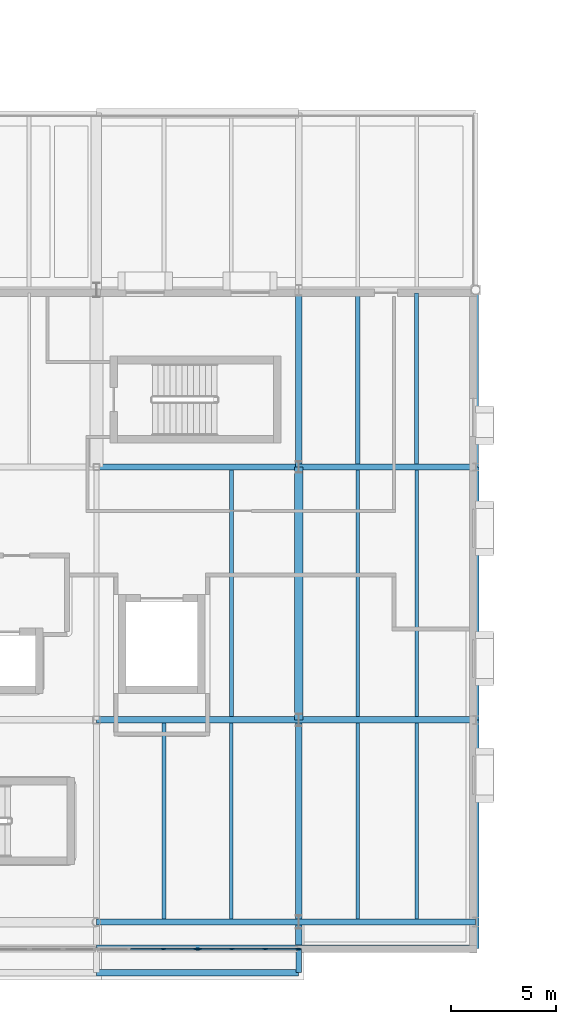
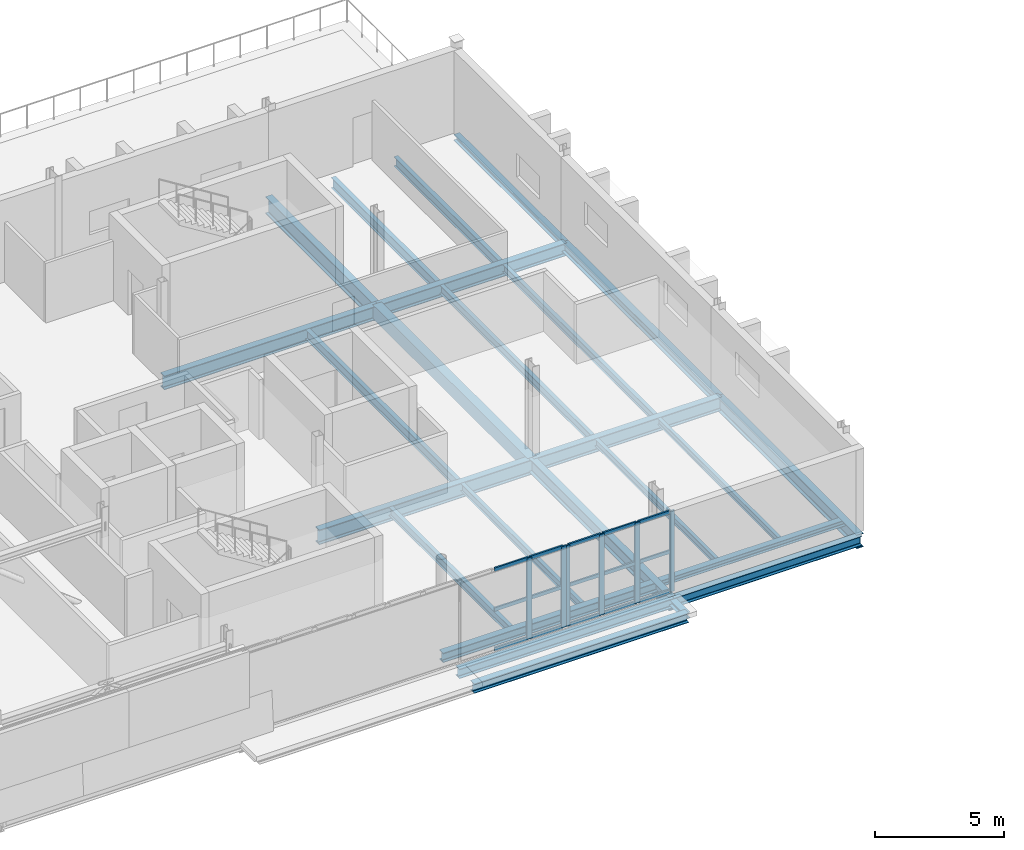
# One storey, part 16 of 57: 25 beams, 21 members, 2 elements without a shape of their own.
"""IFC4 building model written with IfcOpenShell, lengths in metres."""

import ifcopenshell
import ifcopenshell.guid

model = None  # the IFC model being written
_history = None  # IfcOwnerHistory: only IFC2X3 demands one
_inside = {}  # id of a spatial element -> (the spatial element, [elements in it])
_under = {}  # id of a project, library or spatial element -> (it, [spatial elements below it])
_declared = {}  # id of a project -> (the project, [libraries it declares])
_typed = {}  # id of a type object -> (the type object, [elements of that type])
_made_of = {}  # id of a material, layer set ... -> (it, [elements and type objects made of it])


def new_model(schema):
    """Start an empty IFC model of exactly this schema.

    Asked for "IFC4X3", IfcOpenShell would pick the latest addendum, in which some entities
    have other attributes; the version numbers below select the first issue.
    IFC2X3 requires an IfcOwnerHistory on every rooted entity: one is made here for all.
    """
    global model, _history
    if schema == "IFC4X3":
        model = ifcopenshell.file(schema_version=(4, 3, 0, 0))
    else:
        model = ifcopenshell.file(schema=schema)
    _inside.clear()
    _under.clear()
    _declared.clear()
    _typed.clear()
    _made_of.clear()
    _history = None
    if model.schema == "IFC2X3":
        org = make("IfcOrganization", Name="unknown")
        user = make(
            "IfcPersonAndOrganization",
            ThePerson=make("IfcPerson", FamilyName="unknown"),
            TheOrganization=org,
        )
        app = make(
            "IfcApplication",
            ApplicationDeveloper=org,
            Version="unknown",
            ApplicationFullName="unknown",
            ApplicationIdentifier="unknown",
        )
        _history = make(
            "IfcOwnerHistory",
            OwningUser=user,
            OwningApplication=app,
            ChangeAction="ADDED",
            CreationDate=0,
        )
    return model


def make(cls, **values):
    """One entity of the class cls with the attributes given. An attribute that is None is left unset."""
    return model.create_entity(
        cls, **{name: value for name, value in values.items() if value is not None}
    )


def rooted(cls, **values):
    """An entity with a GlobalId (a new one), such as an element, a storey or a relation."""
    return make(cls, GlobalId=ifcopenshell.guid.new(), OwnerHistory=_history, **values)


def si_unit(unit_type, name, prefix=None):
    """IfcSIUnit, for example si_unit("LENGTHUNIT", "METRE", prefix="MILLI")."""
    return make("IfcSIUnit", UnitType=unit_type, Prefix=prefix, Name=name)


def assignment(units):
    """IfcUnitAssignment: the units of a project."""
    return None if units is None else make("IfcUnitAssignment", Units=units)


def point(xyz):
    """IfcCartesianPoint."""
    return None if xyz is None else make("IfcCartesianPoint", Coordinates=xyz)


def direction(xyz):
    """IfcDirection."""
    return None if xyz is None else make("IfcDirection", DirectionRatios=xyz)


def frame(location, z_axis=None, x_axis=None):
    """IfcAxis2Placement3D, a coordinate frame: its origin and axes. An axis left out is left unset."""
    return make(
        "IfcAxis2Placement3D",
        Location=point(location),
        Axis=direction(z_axis),
        RefDirection=direction(x_axis),
    )


def frame_2d(location, x_axis=None):
    """IfcAxis2Placement2D, a coordinate frame in the plane: its origin and x axis."""
    return make(
        "IfcAxis2Placement2D", Location=point(location), RefDirection=direction(x_axis)
    )


def origin():
    """The frame at (0, 0, 0) with its axes left unset."""
    return frame((0.0, 0.0, 0.0))


def origin_2d():
    """The frame at (0, 0) in the plane with its x axis left unset."""
    return frame_2d((0.0, 0.0))


def place(relative_to, where):
    """IfcLocalPlacement: puts the frame where relative to a parent placement (None: the world)."""
    return make(
        "IfcLocalPlacement", PlacementRelTo=relative_to, RelativePlacement=where
    )


def context(
    kind, dimensions, precision=None, world=None, true_north=None, identifier=None
):
    """IfcGeometricRepresentationContext, for example the 3D "Model" context."""
    return make(
        "IfcGeometricRepresentationContext",
        ContextIdentifier=identifier,
        ContextType=kind,
        CoordinateSpaceDimension=dimensions,
        Precision=precision,
        WorldCoordinateSystem=world,
        TrueNorth=true_north,
    )


def subcontext(parent, identifier, kind, view, scale=None):
    """IfcGeometricRepresentationSubContext, for example "Body" below "Model"."""
    return make(
        "IfcGeometricRepresentationSubContext",
        ContextIdentifier=identifier,
        ContextType=kind,
        ParentContext=parent,
        TargetScale=scale,
        TargetView=view,
    )


def project(units=None, contexts=None):
    """IfcProject with its units and contexts."""
    return rooted(
        "IfcProject",
        Name="project",
        RepresentationContexts=contexts,
        UnitsInContext=assignment(units),
    )


def spatial(cls, under=None, at=None, **own):
    """A site, building, storey or space (cls), placed at a placement, below another one or the project."""
    s = rooted(cls, ObjectPlacement=at, **own)
    if under is not None:
        _under.setdefault(under.id(), (under, []))[1].append(s)
    return s


def profile(cls, at=None, kind="AREA", **sizes):
    """A parametric profile (cls). Its sizes go by their IFC names, for example OverallWidth=200.0."""
    return make(cls, ProfileType=kind, Position=at, **sizes)


def rectangle(**sizes):
    """IfcRectangleProfileDef."""
    return profile("IfcRectangleProfileDef", **sizes)


def i_section(**sizes):
    """IfcIShapeProfileDef."""
    return profile("IfcIShapeProfileDef", **sizes)


def extrude(swept, where, along, depth):
    """IfcExtrudedAreaSolid: the profile swept, set in the frame where, extruded along a direction by depth."""
    return make(
        "IfcExtrudedAreaSolid",
        SweptArea=swept,
        Position=where,
        ExtrudedDirection=direction(along),
        Depth=depth,
    )


def shape(context_of_items, identifier, shape_type, items):
    """IfcShapeRepresentation: the items that make up one representation, for example the "Body"."""
    return make(
        "IfcShapeRepresentation",
        ContextOfItems=context_of_items,
        RepresentationIdentifier=identifier,
        RepresentationType=shape_type,
        Items=items,
    )


def material(Name=None, Category=None):
    """IfcMaterial."""
    return make("IfcMaterial", Name=Name, Category=Category)


def layer(
    of_material, thickness, ventilated=None, Name=None, Category=None, Priority=None
):
    """IfcMaterialLayer: one layer of a wall or slab, of a material (None: an air gap)."""
    return make(
        "IfcMaterialLayer",
        Material=of_material,
        LayerThickness=thickness,
        IsVentilated=ventilated,
        Name=Name,
        Category=Category,
        Priority=Priority,
    )


def layer_set(layers, Name=None):
    """IfcMaterialLayerSet."""
    return make("IfcMaterialLayerSet", MaterialLayers=layers, LayerSetName=Name)


def material_profile(
    of_material, cross_section, Name=None, Category=None, Priority=None
):
    """IfcMaterialProfile: a cross section and its material."""
    return make(
        "IfcMaterialProfile",
        Name=Name,
        Material=of_material,
        Profile=cross_section,
        Priority=Priority,
        Category=Category,
    )


def profile_set(profiles, Name=None, composite=None):
    """IfcMaterialProfileSet."""
    return make(
        "IfcMaterialProfileSet",
        Name=Name,
        MaterialProfiles=profiles,
        CompositeProfile=composite,
    )


def made_of(thing, what):
    """Note that an element or type object is made of a material, layer set ...; save() writes the relation."""
    if what is not None:
        _made_of.setdefault(what.id(), (what, []))[1].append(thing)
    return thing


def type_object(cls, material=None, **own):
    """A type object (cls), such as IfcWallType, which elements share."""
    return made_of(rooted(cls, **own), material)


def element(
    cls,
    number,
    at=None,
    inside=None,
    cuts=None,
    type_object=None,
    material=None,
    context=None,
    identifier="Body",
    shape_type=None,
    held_by="IfcProductDefinitionShape",
    body=None,
    shapes=None,
    **own,
):
    """One element of the class cls, such as IfcWall. Its Tag is "e" and its number.

    at: its placement. inside: the storey or other place that contains it. cuts: it is an
    opening in that element (IfcRelVoidsElement). A single representation is given by context,
    identifier, shape_type and body (its items); several are given by shapes. held_by: the class
    of the entity that holds the representations. save() writes the other relations.
    """
    e = rooted(cls, Tag="e%d" % number, ObjectPlacement=at, **own)
    if body is not None:
        shapes = [shape(context, identifier, shape_type, body)]
    if shapes is not None:
        e.Representation = make(held_by, Representations=shapes)
    if inside is not None:
        _inside.setdefault(inside.id(), (inside, []))[1].append(e)
    if cuts is not None:
        rooted(
            "IfcRelVoidsElement", RelatingBuildingElement=cuts, RelatedOpeningElement=e
        )
    if type_object is not None:
        _typed.setdefault(type_object.id(), (type_object, []))[1].append(e)
    return made_of(e, material)


def aggregate(whole, parts):
    """IfcRelAggregates: a whole, such as a stair, and the parts it consists of."""
    return rooted("IfcRelAggregates", RelatingObject=whole, RelatedObjects=parts)


def save(model, path):
    """Write the relations noted so far, then the file.

    IfcRelAggregates (storeys below a building ...), IfcRelContainedInSpatialStructure (elements
    in a storey), IfcRelDefinesByType, IfcRelAssociatesMaterial and IfcRelDeclares: one each for
    every whole, place, type object, material and project.
    """
    for whole, parts in _under.values():
        aggregate(whole, parts)
    for where, things in _inside.values():
        rooted(
            "IfcRelContainedInSpatialStructure",
            RelatedElements=things,
            RelatingStructure=where,
        )
    for kind, things in _typed.values():
        rooted("IfcRelDefinesByType", RelatedObjects=things, RelatingType=kind)
    for what, things in _made_of.values():
        rooted("IfcRelAssociatesMaterial", RelatedObjects=things, RelatingMaterial=what)
    for by, libraries in _declared.values():
        rooted("IfcRelDeclares", RelatingContext=by, RelatedDefinitions=libraries)
    model.write(path)


model = new_model("IFC4")

# Units and contexts
model_context = context("Model", 3, precision=1e-05, world=origin(), true_north=direction((0.0, 1.0)))
body_context = subcontext(model_context, "Body", "Model", "MODEL_VIEW")
ifc_project = project(units=[si_unit("LENGTHUNIT", "METRE"), si_unit("AREAUNIT", "SQUARE_METRE"), si_unit("VOLUMEUNIT", "CUBIC_METRE"), si_unit("PLANEANGLEUNIT", "RADIAN"), si_unit("MASSUNIT", "GRAM", prefix="KILO")], contexts=[model_context])

# Site, building, storey
site_placement = place(None, origin())
site = spatial("IfcSite", under=ifc_project, at=site_placement, CompositionType="ELEMENT")
building_placement = place(site_placement, origin())
building = spatial("IfcBuilding", under=site, at=building_placement, Name="Zereglee Splitstone Museum", CompositionType="ELEMENT")
storey_placement = place(building_placement, frame((0.0, 0.0, 17.10009765625)))
storey = spatial("IfcBuildingStorey", under=building, at=storey_placement, Name="L03", CompositionType="ELEMENT", Elevation=17.10009765625)

# Beam
ifc_material_1 = material(Name="Concrete C40/50", Category="concrete")
ifc_material_profile_1 = material_profile(ifc_material_1, rectangle(XDim=0.39990234375, YDim=0.64990234375, at=origin_2d()), Name="RC 400x650")
ifc_profile_set_1 = profile_set([ifc_material_profile_1], Name="Concrete C40/50")
beam_type_1 = type_object("IfcBeamType", Name="BG-04", PredefinedType="BEAM", material=ifc_profile_set_1)
beam_1_placement = place(storey_placement, frame((39.60009765625, 9.60009765625, -0.60498046875), z_axis=(0.0, 1.0, 0.0), x_axis=(-1.0, 0.0, 0.0)))
element("IfcBeam", 1, at=beam_1_placement, inside=storey, type_object=beam_type_1, Name="Primary Girder L03 6 (9.6-21.6)", PredefinedType="BEAM", context=body_context, shape_type="SweptSolid", body=[
    extrude(rectangle(XDim=0.39990234375, YDim=0.64990234375, at=origin_2d()), origin(), (0.0, 0.0, 1.0), 12.0),
])

# Curtain wall, members
ifc_material_2 = material(Name="Triple-glazed low-E argon glass and bronze-anodised aluminium", Category="aluminium")
ifc_layer_1 = layer(ifc_material_2, 0.219970703125)
ifc_layer_set_1 = layer_set([ifc_layer_1], Name="Triple-glazed low-E argon glass and bronze-anodised aluminium")
curtain_wall_type_1 = type_object("IfcCurtainWallType", Name="CW-0476-384", PredefinedType="USERDEFINED", material=ifc_layer_set_1)
curtain_wall_1_placement = place(storey_placement, origin())
curtain_wall_1 = element("IfcCurtainWall", 2, at=curtain_wall_1_placement, inside=storey, type_object=curtain_wall_type_1, Name="Glazed Curtain Wall CW-0476-384 (L03)", ObjectType="GLAZED CURTAIN WALL", PredefinedType="USERDEFINED")
ifc_material_3 = material(Name="Thermally broken bronze-anodised aluminium", Category="aluminium")
ifc_material_profile_2 = material_profile(ifc_material_3, rectangle(XDim=0.074951171875, YDim=0.219970703125, at=origin_2d()), Name="CW MULL 75x220")
ifc_profile_set_2 = profile_set([ifc_material_profile_2], Name="Thermally broken bronze-anodised aluminium")
member_type_1 = type_object("IfcMemberType", Name="CWM-02", PredefinedType="MULLION", material=ifc_profile_set_2)
member_1_placement = place(storey_placement, frame((33.17333984375, -1.280029296875, 0.0), z_axis=(0.0, 0.0, 1.0), x_axis=(0.0, 1.0, 0.0)))
member_1 = element("IfcMember", 3, at=member_1_placement, type_object=member_type_1, Name="CW-0476-384 mullion 3", PredefinedType="MULLION", context=body_context, shape_type="SweptSolid", body=[
    extrude(rectangle(XDim=0.074951171875, YDim=0.219970703125, at=origin_2d()), origin(), (0.0, 0.0, 1.0), 3.83984375),
])
member_2_placement = place(storey_placement, frame((34.722412109375, -1.280029296875, 0.0), z_axis=(0.0, 0.0, 1.0), x_axis=(0.0, 1.0, 0.0)))
member_2 = element("IfcMember", 4, at=member_2_placement, type_object=member_type_1, Name="CW-0476-384 mullion 4", PredefinedType="MULLION", context=body_context, shape_type="SweptSolid", body=[
    extrude(rectangle(XDim=0.074951171875, YDim=0.219970703125, at=origin_2d()), origin(), (0.0, 0.0, 1.0), 3.83984375),
])

ifc_layer_2 = layer(ifc_material_2, 0.219970703125)
ifc_layer_set_2 = layer_set([ifc_layer_2], Name="Triple-glazed low-E argon glass and bronze-anodised aluminium")
curtain_wall_type_2 = type_object("IfcCurtainWallType", Name="CW-0476-382", PredefinedType="USERDEFINED", material=ifc_layer_set_2)
curtain_wall_2_placement = place(storey_placement, origin())
curtain_wall_2 = element("IfcCurtainWall", 5, at=curtain_wall_2_placement, inside=storey, type_object=curtain_wall_type_2, Name="Glazed Curtain Wall CW-0476-382 (L03)", ObjectType="GLAZED CURTAIN WALL", PredefinedType="USERDEFINED")
member_3_placement = place(storey_placement, frame((34.87744140625, -1.280029296875, 0.0), z_axis=(0.0, 0.0, 1.0), x_axis=(0.0, 1.0, 0.0)))
member_3 = element("IfcMember", 6, at=member_3_placement, type_object=member_type_1, Name="CW-0476-382 mullion 1", PredefinedType="MULLION", context=body_context, shape_type="SweptSolid", body=[
    extrude(rectangle(XDim=0.074951171875, YDim=0.219970703125, at=origin_2d()), origin(), (0.0, 0.0, 1.0), 3.81982421875),
])
member_4_placement = place(storey_placement, frame((36.4267578125, -1.280029296875, 0.0), z_axis=(0.0, 0.0, 1.0), x_axis=(0.0, 1.0, 0.0)))
member_4 = element("IfcMember", 7, at=member_4_placement, type_object=member_type_1, Name="CW-0476-382 mullion 2", PredefinedType="MULLION", context=body_context, shape_type="SweptSolid", body=[
    extrude(rectangle(XDim=0.074951171875, YDim=0.219970703125, at=origin_2d()), origin(), (0.0, 0.0, 1.0), 3.81982421875),
])
member_5_placement = place(storey_placement, frame((38.013427734375, -1.280029296875, 0.0), z_axis=(0.0, 0.0, 1.0), x_axis=(0.0, 1.0, 0.0)))
member_5 = element("IfcMember", 8, at=member_5_placement, type_object=member_type_1, Name="CW-0476-382 mullion 3", PredefinedType="MULLION", context=body_context, shape_type="SweptSolid", body=[
    extrude(rectangle(XDim=0.074951171875, YDim=0.219970703125, at=origin_2d()), origin(), (0.0, 0.0, 1.0), 3.81982421875),
])
member_6_placement = place(storey_placement, frame((39.5625, -1.280029296875, 0.0), z_axis=(0.0, 0.0, 1.0), x_axis=(0.0, 1.0, 0.0)))
member_6 = element("IfcMember", 9, at=member_6_placement, type_object=member_type_1, Name="CW-0476-382 mullion 4", PredefinedType="MULLION", context=body_context, shape_type="SweptSolid", body=[
    extrude(rectangle(XDim=0.074951171875, YDim=0.219970703125, at=origin_2d()), origin(), (0.0, 0.0, 1.0), 3.81982421875),
])

# Member
ifc_material_profile_3 = material_profile(ifc_material_3, rectangle(XDim=0.074951171875, YDim=0.1650390625, at=origin_2d()), Name="CW TRAN 75x165")
ifc_profile_set_3 = profile_set([ifc_material_profile_3], Name="Thermally broken bronze-anodised aluminium")
member_type_2 = type_object("IfcMemberType", Name="CWT-02", PredefinedType="USERDEFINED", material=ifc_profile_set_3)
member_7_placement = place(storey_placement, frame((31.624267578125, -1.280029296875, 0.037353515625), z_axis=(1.0, 0.0, 0.0), x_axis=(0.0, 1.0, 0.0)))
member_7 = element("IfcMember", 10, at=member_7_placement, type_object=member_type_2, Name="CW-0476-384 transom 2.1", ObjectType="TRANSOM", PredefinedType="USERDEFINED", context=body_context, shape_type="SweptSolid", body=[
    extrude(rectangle(XDim=0.074951171875, YDim=0.1650390625, at=origin_2d()), origin(), (0.0, 0.0, 1.0), 1.511474609375),
])

member_8_placement = place(storey_placement, frame((31.624267578125, -1.280029296875, 1.919921875), z_axis=(1.0, 0.0, 0.0), x_axis=(0.0, 1.0, 0.0)))
member_8 = element("IfcMember", 11, at=member_8_placement, type_object=member_type_2, Name="CW-0476-384 transom 2.2", ObjectType="TRANSOM", PredefinedType="USERDEFINED", context=body_context, shape_type="SweptSolid", body=[
    extrude(rectangle(XDim=0.074951171875, YDim=0.1650390625, at=origin_2d()), origin(), (0.0, 0.0, 1.0), 1.511474609375),
])

member_9_placement = place(storey_placement, frame((31.624267578125, -1.280029296875, 3.802490234375), z_axis=(1.0, 0.0, 0.0), x_axis=(0.0, 1.0, 0.0)))
member_9 = element("IfcMember", 12, at=member_9_placement, type_object=member_type_2, Name="CW-0476-384 transom 2.3", ObjectType="TRANSOM", PredefinedType="USERDEFINED", context=body_context, shape_type="SweptSolid", body=[
    extrude(rectangle(XDim=0.074951171875, YDim=0.1650390625, at=origin_2d()), origin(), (0.0, 0.0, 1.0), 1.511474609375),
])

member_10_placement = place(storey_placement, frame((33.2109375, -1.280029296875, 0.037353515625), z_axis=(1.0, 0.0, 0.0), x_axis=(0.0, 1.0, 0.0)))
member_10 = element("IfcMember", 13, at=member_10_placement, type_object=member_type_2, Name="CW-0476-384 transom 3.1", ObjectType="TRANSOM", PredefinedType="USERDEFINED", context=body_context, shape_type="SweptSolid", body=[
    extrude(rectangle(XDim=0.074951171875, YDim=0.1650390625, at=origin_2d()), origin(), (0.0, 0.0, 1.0), 1.47412109375),
])

member_11_placement = place(storey_placement, frame((33.2109375, -1.280029296875, 1.919921875), z_axis=(1.0, 0.0, 0.0), x_axis=(0.0, 1.0, 0.0)))
member_11 = element("IfcMember", 14, at=member_11_placement, type_object=member_type_2, Name="CW-0476-384 transom 3.2", ObjectType="TRANSOM", PredefinedType="USERDEFINED", context=body_context, shape_type="SweptSolid", body=[
    extrude(rectangle(XDim=0.074951171875, YDim=0.1650390625, at=origin_2d()), origin(), (0.0, 0.0, 1.0), 1.47412109375),
])

member_12_placement = place(storey_placement, frame((33.2109375, -1.280029296875, 3.802490234375), z_axis=(1.0, 0.0, 0.0), x_axis=(0.0, 1.0, 0.0)))
member_12 = element("IfcMember", 15, at=member_12_placement, type_object=member_type_2, Name="CW-0476-384 transom 3.3", ObjectType="TRANSOM", PredefinedType="USERDEFINED", context=body_context, shape_type="SweptSolid", body=[
    extrude(rectangle(XDim=0.074951171875, YDim=0.1650390625, at=origin_2d()), origin(), (0.0, 0.0, 1.0), 1.47412109375),
])

aggregate(curtain_wall_1, [member_1, member_2, member_7, member_8, member_9, member_10, member_11, member_12])

member_13_placement = place(storey_placement, frame((34.9150390625, -1.280029296875, 0.037353515625), z_axis=(1.0, 0.0, 0.0), x_axis=(0.0, 1.0, 0.0)))
member_13 = element("IfcMember", 16, at=member_13_placement, type_object=member_type_2, Name="CW-0476-382 transom 1.1", ObjectType="TRANSOM", PredefinedType="USERDEFINED", context=body_context, shape_type="SweptSolid", body=[
    extrude(rectangle(XDim=0.074951171875, YDim=0.1650390625, at=origin_2d()), origin(), (0.0, 0.0, 1.0), 1.47412109375),
])

member_14_placement = place(storey_placement, frame((34.9150390625, -1.280029296875, 1.909912109375), z_axis=(1.0, 0.0, 0.0), x_axis=(0.0, 1.0, 0.0)))
member_14 = element("IfcMember", 17, at=member_14_placement, type_object=member_type_2, Name="CW-0476-382 transom 1.2", ObjectType="TRANSOM", PredefinedType="USERDEFINED", context=body_context, shape_type="SweptSolid", body=[
    extrude(rectangle(XDim=0.074951171875, YDim=0.1650390625, at=origin_2d()), origin(), (0.0, 0.0, 1.0), 1.47412109375),
])

member_15_placement = place(storey_placement, frame((34.9150390625, -1.280029296875, 3.782470703125), z_axis=(1.0, 0.0, 0.0), x_axis=(0.0, 1.0, 0.0)))
member_15 = element("IfcMember", 18, at=member_15_placement, type_object=member_type_2, Name="CW-0476-382 transom 1.3", ObjectType="TRANSOM", PredefinedType="USERDEFINED", context=body_context, shape_type="SweptSolid", body=[
    extrude(rectangle(XDim=0.074951171875, YDim=0.1650390625, at=origin_2d()), origin(), (0.0, 0.0, 1.0), 1.47412109375),
])

member_16_placement = place(storey_placement, frame((36.464111328125, -1.280029296875, 0.037353515625), z_axis=(1.0, 0.0, 0.0), x_axis=(0.0, 1.0, 0.0)))
member_16 = element("IfcMember", 19, at=member_16_placement, type_object=member_type_2, Name="CW-0476-382 transom 2.1", ObjectType="TRANSOM", PredefinedType="USERDEFINED", context=body_context, shape_type="SweptSolid", body=[
    extrude(rectangle(XDim=0.074951171875, YDim=0.1650390625, at=origin_2d()), origin(), (0.0, 0.0, 1.0), 1.51171875),
])

member_17_placement = place(storey_placement, frame((36.464111328125, -1.280029296875, 1.909912109375), z_axis=(1.0, 0.0, 0.0), x_axis=(0.0, 1.0, 0.0)))
member_17 = element("IfcMember", 20, at=member_17_placement, type_object=member_type_2, Name="CW-0476-382 transom 2.2", ObjectType="TRANSOM", PredefinedType="USERDEFINED", context=body_context, shape_type="SweptSolid", body=[
    extrude(rectangle(XDim=0.074951171875, YDim=0.1650390625, at=origin_2d()), origin(), (0.0, 0.0, 1.0), 1.51171875),
])

member_18_placement = place(storey_placement, frame((36.464111328125, -1.280029296875, 3.782470703125), z_axis=(1.0, 0.0, 0.0), x_axis=(0.0, 1.0, 0.0)))
member_18 = element("IfcMember", 21, at=member_18_placement, type_object=member_type_2, Name="CW-0476-382 transom 2.3", ObjectType="TRANSOM", PredefinedType="USERDEFINED", context=body_context, shape_type="SweptSolid", body=[
    extrude(rectangle(XDim=0.074951171875, YDim=0.1650390625, at=origin_2d()), origin(), (0.0, 0.0, 1.0), 1.51171875),
])

member_19_placement = place(storey_placement, frame((38.05078125, -1.280029296875, 0.037353515625), z_axis=(1.0, 0.0, 0.0), x_axis=(0.0, 1.0, 0.0)))
member_19 = element("IfcMember", 22, at=member_19_placement, type_object=member_type_2, Name="CW-0476-382 transom 3.1", ObjectType="TRANSOM", PredefinedType="USERDEFINED", context=body_context, shape_type="SweptSolid", body=[
    extrude(rectangle(XDim=0.074951171875, YDim=0.1650390625, at=origin_2d()), origin(), (0.0, 0.0, 1.0), 1.47412109375),
])

member_20_placement = place(storey_placement, frame((38.05078125, -1.280029296875, 1.909912109375), z_axis=(1.0, 0.0, 0.0), x_axis=(0.0, 1.0, 0.0)))
member_20 = element("IfcMember", 23, at=member_20_placement, type_object=member_type_2, Name="CW-0476-382 transom 3.2", ObjectType="TRANSOM", PredefinedType="USERDEFINED", context=body_context, shape_type="SweptSolid", body=[
    extrude(rectangle(XDim=0.074951171875, YDim=0.1650390625, at=origin_2d()), origin(), (0.0, 0.0, 1.0), 1.47412109375),
])

member_21_placement = place(storey_placement, frame((38.05078125, -1.280029296875, 3.782470703125), z_axis=(1.0, 0.0, 0.0), x_axis=(0.0, 1.0, 0.0)))
member_21 = element("IfcMember", 24, at=member_21_placement, type_object=member_type_2, Name="CW-0476-382 transom 3.3", ObjectType="TRANSOM", PredefinedType="USERDEFINED", context=body_context, shape_type="SweptSolid", body=[
    extrude(rectangle(XDim=0.074951171875, YDim=0.1650390625, at=origin_2d()), origin(), (0.0, 0.0, 1.0), 1.47412109375),
])

aggregate(curtain_wall_2, [member_3, member_4, member_5, member_6, member_13, member_14, member_15, member_16, member_17, member_18, member_19, member_20, member_21])

# Beams
ifc_material_4 = material(Name="Steel S355J2", Category="steel")
ifc_material_profile_4 = material_profile(ifc_material_4, i_section(OverallWidth=0.300048828125, OverallDepth=0.60009765625, WebThickness=0.015380859375, FlangeThickness=0.030029296875, FilletRadius=0.027099609375, at=origin_2d()), Name="HE 600 B")
ifc_profile_set_4 = profile_set([ifc_material_profile_4], Name="Steel S355J2")
beam_type_2 = type_object("IfcBeamType", Name="BG-10", PredefinedType="BEAM", material=ifc_profile_set_4)
beam_2_placement = place(storey_placement, frame((39.60009765625, 21.60009765625, -0.580078125), z_axis=(1.0, 0.0, 0.0), x_axis=(0.0, 1.0, 0.0)))
element("IfcBeam", 25, at=beam_2_placement, inside=storey, type_object=beam_type_2, Name="Primary Girder L03 C (39.6-48.0)", PredefinedType="BEAM", context=body_context, shape_type="SweptSolid", body=[
    extrude(i_section(OverallWidth=0.300048828125, OverallDepth=0.60009765625, WebThickness=0.015380859375, FlangeThickness=0.030029296875, FilletRadius=0.027099609375, at=origin_2d()), origin(), (0.0, 0.0, 1.0), 8.39990234375),
])
ifc_material_profile_5 = material_profile(ifc_material_4, i_section(OverallWidth=0.300048828125, OverallDepth=0.64990234375, WebThickness=0.01611328125, FlangeThickness=0.031005859375, FilletRadius=0.027099609375, at=origin_2d()), Name="HE 650 B")
ifc_profile_set_5 = profile_set([ifc_material_profile_5], Name="Steel S355J2")
beam_type_3 = type_object("IfcBeamType", Name="BG-09", PredefinedType="BEAM", material=ifc_profile_set_5)
beam_3_placement = place(storey_placement, frame((39.60009765625, 9.60009765625, -0.60498046875), z_axis=(1.0, 0.0, 0.0), x_axis=(0.0, 1.0, 0.0)))
element("IfcBeam", 26, at=beam_3_placement, inside=storey, type_object=beam_type_3, Name="Primary Girder L03 B (39.6-48.0)", PredefinedType="BEAM", context=body_context, shape_type="SweptSolid", body=[
    extrude(i_section(OverallWidth=0.300048828125, OverallDepth=0.64990234375, WebThickness=0.01611328125, FlangeThickness=0.031005859375, FilletRadius=0.027099609375, at=origin_2d()), origin(), (0.0, 0.0, 1.0), 8.39990234375),
])
beam_4_placement = place(storey_placement, frame((30.0, 21.60009765625, -0.60498046875), z_axis=(1.0, 0.0, 0.0), x_axis=(0.0, 1.0, 0.0)))
element("IfcBeam", 27, at=beam_4_placement, inside=storey, type_object=beam_type_3, Name="Primary Girder L03 C (30.0-39.6)", PredefinedType="BEAM", context=body_context, shape_type="SweptSolid", body=[
    extrude(i_section(OverallWidth=0.300048828125, OverallDepth=0.64990234375, WebThickness=0.01611328125, FlangeThickness=0.031005859375, FilletRadius=0.027099609375, at=origin_2d()), origin(), (0.0, 0.0, 1.0), 9.60009765625),
])
for number, where, z_axis, x_axis, name in (
    (28, (39.60009765625, -1.25, -0.60498046875), (0.0, 1.0, 0.0), (-1.0, 0.0, 0.0), "Primary Girder L03 6 (-1.2-9.6)"),
    (29, (48.0, -1.25, -0.60498046875), (0.0, 1.0, 0.0), (-1.0, 0.0, 0.0), "Primary Girder L03 7 (-1.2-9.6)"),
):
    element("IfcBeam", number, at=place(storey_placement, frame(where, z_axis=z_axis, x_axis=x_axis)), inside=storey, type_object=beam_type_3, Name=name, PredefinedType="BEAM", context=body_context, shape_type="SweptSolid", body=[
        extrude(i_section(OverallWidth=0.300048828125, OverallDepth=0.64990234375, WebThickness=0.01611328125, FlangeThickness=0.031005859375, FilletRadius=0.027099609375, at=origin_2d()), origin(), (0.0, 0.0, 1.0), 10.85009765625),
    ])
ifc_material_profile_6 = material_profile(ifc_material_4, i_section(OverallWidth=0.300048828125, OverallDepth=0.699951171875, WebThickness=0.01708984375, FlangeThickness=0.031982421875, FilletRadius=0.027099609375, at=origin_2d()), Name="HE 700 B")
ifc_profile_set_6 = profile_set([ifc_material_profile_6], Name="Steel S355J2")
beam_type_4 = type_object("IfcBeamType", Name="BG-08", PredefinedType="BEAM", material=ifc_profile_set_6)
beam_5_placement = place(storey_placement, frame((30.0, 9.60009765625, -0.630126953125), z_axis=(1.0, 0.0, 0.0), x_axis=(0.0, 1.0, 0.0)))
element("IfcBeam", 30, at=beam_5_placement, inside=storey, type_object=beam_type_4, Name="Primary Girder L03 B (30.0-39.6)", PredefinedType="BEAM", context=body_context, shape_type="SweptSolid", body=[
    extrude(i_section(OverallWidth=0.300048828125, OverallDepth=0.699951171875, WebThickness=0.01708984375, FlangeThickness=0.031982421875, FilletRadius=0.027099609375, at=origin_2d()), origin(), (0.0, 0.0, 1.0), 9.60009765625),
])
ifc_material_profile_7 = material_profile(ifc_material_4, i_section(OverallWidth=0.300048828125, OverallDepth=0.800048828125, WebThickness=0.017578125, FlangeThickness=0.032958984375, FilletRadius=0.030029296875, at=origin_2d()), Name="HE 800 B")
ifc_profile_set_7 = profile_set([ifc_material_profile_7], Name="Steel S355J2")
beam_type_5 = type_object("IfcBeamType", Name="BG-07", PredefinedType="BEAM", material=ifc_profile_set_7)
beam_6_placement = place(storey_placement, frame((39.60009765625, 21.60009765625, -0.68017578125), z_axis=(0.0, 1.0, 0.0), x_axis=(-1.0, 0.0, 0.0)))
element("IfcBeam", 31, at=beam_6_placement, inside=storey, type_object=beam_type_5, Name="Primary Girder L03 6 (21.6-30.0)", PredefinedType="BEAM", context=body_context, shape_type="SweptSolid", body=[
    extrude(i_section(OverallWidth=0.300048828125, OverallDepth=0.800048828125, WebThickness=0.017578125, FlangeThickness=0.032958984375, FilletRadius=0.030029296875, at=origin_2d()), origin(), (0.0, 0.0, 1.0), 8.39990234375),
])
ifc_material_profile_8 = material_profile(ifc_material_4, i_section(OverallWidth=0.14990234375, OverallDepth=0.300048828125, WebThickness=0.007080078125, FlangeThickness=0.0107421875, FilletRadius=0.014892578125, at=origin_2d()), Name="IPE 300")
ifc_profile_set_8 = profile_set([ifc_material_profile_8], Name="Steel S355J2")
beam_type_6 = type_object("IfcBeamType", Name="BJ-06", PredefinedType="JOIST", material=ifc_profile_set_8)
beam_7_placement = place(storey_placement, frame((45.199951171875, 0.139892578125, -0.43017578125), z_axis=(0.0, 1.0, 0.0), x_axis=(-1.0, 0.0, 0.0)))
element("IfcBeam", 32, at=beam_7_placement, inside=storey, type_object=beam_type_6, Name="Secondary Floor Joist L03-1307", PredefinedType="JOIST", context=body_context, shape_type="SweptSolid", body=[
    extrude(i_section(OverallWidth=0.14990234375, OverallDepth=0.300048828125, WebThickness=0.007080078125, FlangeThickness=0.0107421875, FilletRadius=0.014892578125, at=origin_2d()), origin(), (0.0, 0.0, 1.0), 9.31005859375),
])
ifc_material_profile_9 = material_profile(ifc_material_4, i_section(OverallWidth=0.159912109375, OverallDepth=0.330078125, WebThickness=0.007568359375, FlangeThickness=0.011474609375, FilletRadius=0.01806640625, at=origin_2d()), Name="IPE 330")
ifc_profile_set_9 = profile_set([ifc_material_profile_9], Name="Steel S355J2")
beam_type_7 = type_object("IfcBeamType", Name="BJ-05", PredefinedType="JOIST", material=ifc_profile_set_9)
beam_8_placement = place(storey_placement, frame((42.39990234375, 0.139892578125, -0.445068359375), z_axis=(0.0, 1.0, 0.0), x_axis=(-1.0, 0.0, 0.0)))
element("IfcBeam", 33, at=beam_8_placement, inside=storey, type_object=beam_type_7, Name="Secondary Floor Joist L03-1306", PredefinedType="JOIST", context=body_context, shape_type="SweptSolid", body=[
    extrude(i_section(OverallWidth=0.159912109375, OverallDepth=0.330078125, WebThickness=0.007568359375, FlangeThickness=0.011474609375, FilletRadius=0.01806640625, at=origin_2d()), origin(), (0.0, 0.0, 1.0), 9.31005859375),
])
ifc_material_profile_10 = material_profile(ifc_material_4, i_section(OverallWidth=0.169921875, OverallDepth=0.360107421875, WebThickness=0.008056640625, FlangeThickness=0.0126953125, FilletRadius=0.01806640625, at=origin_2d()), Name="IPE 360")
ifc_profile_set_10 = profile_set([ifc_material_profile_10], Name="Steel S355J2")
beam_type_8 = type_object("IfcBeamType", Name="BJ-04", PredefinedType="JOIST", material=ifc_profile_set_10)
beam_9_placement = place(storey_placement, frame((36.39990234375, 0.14990234375, -0.460205078125), z_axis=(0.0, 1.0, 0.0), x_axis=(-1.0, 0.0, 0.0)))
element("IfcBeam", 34, at=beam_9_placement, inside=storey, type_object=beam_type_8, Name="Secondary Floor Joist L03-1305", PredefinedType="JOIST", context=body_context, shape_type="SweptSolid", body=[
    extrude(i_section(OverallWidth=0.169921875, OverallDepth=0.360107421875, WebThickness=0.008056640625, FlangeThickness=0.0126953125, FilletRadius=0.01806640625, at=origin_2d()), origin(), (0.0, 0.0, 1.0), 9.300048828125),
])
beam_10_placement = place(storey_placement, frame((45.199951171875, 9.75, -0.460205078125), z_axis=(0.0, 1.0, 0.0), x_axis=(-1.0, 0.0, 0.0)))
element("IfcBeam", 35, at=beam_10_placement, inside=storey, type_object=beam_type_8, Name="Secondary Floor Joist L03-1319", PredefinedType="JOIST", context=body_context, shape_type="SweptSolid", body=[
    extrude(i_section(OverallWidth=0.169921875, OverallDepth=0.360107421875, WebThickness=0.008056640625, FlangeThickness=0.0126953125, FilletRadius=0.01806640625, at=origin_2d()), origin(), (0.0, 0.0, 1.0), 11.699951171875),
])
ifc_material_profile_11 = material_profile(ifc_material_4, i_section(OverallWidth=0.179931640625, OverallDepth=0.39990234375, WebThickness=0.008544921875, FlangeThickness=0.013427734375, FilletRadius=0.02099609375, at=origin_2d()), Name="IPE 400")
ifc_profile_set_11 = profile_set([ifc_material_profile_11], Name="Steel S355J2")
beam_type_9 = type_object("IfcBeamType", Name="BJ-03", PredefinedType="JOIST", material=ifc_profile_set_11)
beam_11_placement = place(storey_placement, frame((33.199951171875, 0.14990234375, -0.47998046875), z_axis=(0.0, 1.0, 0.0), x_axis=(-1.0, 0.0, 0.0)))
element("IfcBeam", 36, at=beam_11_placement, inside=storey, type_object=beam_type_9, Name="Secondary Floor Joist L03-1304", PredefinedType="JOIST", context=body_context, shape_type="SweptSolid", body=[
    extrude(i_section(OverallWidth=0.179931640625, OverallDepth=0.39990234375, WebThickness=0.008544921875, FlangeThickness=0.013427734375, FilletRadius=0.02099609375, at=origin_2d()), origin(), (0.0, 0.0, 1.0), 9.300048828125),
])
beam_12_placement = place(storey_placement, frame((42.39990234375, 9.75, -0.47998046875), z_axis=(0.0, 1.0, 0.0), x_axis=(-1.0, 0.0, 0.0)))
element("IfcBeam", 37, at=beam_12_placement, inside=storey, type_object=beam_type_9, Name="Secondary Floor Joist L03-1318", PredefinedType="JOIST", context=body_context, shape_type="SweptSolid", body=[
    extrude(i_section(OverallWidth=0.179931640625, OverallDepth=0.39990234375, WebThickness=0.008544921875, FlangeThickness=0.013427734375, FilletRadius=0.02099609375, at=origin_2d()), origin(), (0.0, 0.0, 1.0), 11.699951171875),
])
ifc_material_profile_12 = material_profile(ifc_material_4, i_section(OverallWidth=0.18994140625, OverallDepth=0.449951171875, WebThickness=0.009521484375, FlangeThickness=0.0146484375, FilletRadius=0.02099609375, at=origin_2d()), Name="IPE 450")
ifc_profile_set_12 = profile_set([ifc_material_profile_12], Name="Steel S355J2")
beam_type_10 = type_object("IfcBeamType", Name="BJ-02", PredefinedType="JOIST", material=ifc_profile_set_12)
beam_13_placement = place(storey_placement, frame((36.39990234375, 9.75, -0.505126953125), z_axis=(0.0, 1.0, 0.0), x_axis=(-1.0, 0.0, 0.0)))
element("IfcBeam", 38, at=beam_13_placement, inside=storey, type_object=beam_type_10, Name="Secondary Floor Joist L03-1317", PredefinedType="JOIST", context=body_context, shape_type="SweptSolid", body=[
    extrude(i_section(OverallWidth=0.18994140625, OverallDepth=0.449951171875, WebThickness=0.009521484375, FlangeThickness=0.0146484375, FilletRadius=0.02099609375, at=origin_2d()), origin(), (0.0, 0.0, 1.0), 11.699951171875),
])
beam_14_placement = place(storey_placement, frame((45.199951171875, 21.75, -0.505126953125), z_axis=(0.0, 1.0, 0.0), x_axis=(-1.0, 0.0, 0.0)))
element("IfcBeam", 39, at=beam_14_placement, inside=storey, type_object=beam_type_10, Name="Secondary Floor Joist L03-1345", PredefinedType="JOIST", context=body_context, shape_type="SweptSolid", body=[
    extrude(i_section(OverallWidth=0.18994140625, OverallDepth=0.449951171875, WebThickness=0.009521484375, FlangeThickness=0.0146484375, FilletRadius=0.02099609375, at=origin_2d()), origin(), (0.0, 0.0, 1.0), 8.10009765625),
])
ifc_material_profile_13 = material_profile(ifc_material_4, i_section(OverallWidth=0.199951171875, OverallDepth=0.5, WebThickness=0.01025390625, FlangeThickness=0.01611328125, FilletRadius=0.02099609375, at=origin_2d()), Name="IPE 500")
ifc_profile_set_13 = profile_set([ifc_material_profile_13], Name="Steel S355J2")
beam_type_11 = type_object("IfcBeamType", Name="BJ-01", PredefinedType="JOIST", material=ifc_profile_set_13)
beam_15_placement = place(storey_placement, frame((42.39990234375, 21.75, -0.530029296875), z_axis=(0.0, 1.0, 0.0), x_axis=(-1.0, 0.0, 0.0)))
element("IfcBeam", 40, at=beam_15_placement, inside=storey, type_object=beam_type_11, Name="Secondary Floor Joist L03-1344", PredefinedType="JOIST", context=body_context, shape_type="SweptSolid", body=[
    extrude(i_section(OverallWidth=0.199951171875, OverallDepth=0.5, WebThickness=0.01025390625, FlangeThickness=0.01611328125, FilletRadius=0.02099609375, at=origin_2d()), origin(), (0.0, 0.0, 1.0), 8.10009765625),
])
ifc_material_profile_14 = material_profile(ifc_material_4, i_section(OverallWidth=0.280029296875, OverallDepth=0.280029296875, WebThickness=0.010498046875, FlangeThickness=0.01806640625, FilletRadius=0.02392578125, at=origin_2d()), Name="HE 280 B")
ifc_profile_set_14 = profile_set([ifc_material_profile_14], Name="Steel S355J2")
beam_type_12 = type_object("IfcBeamType", Name="SP-03", PredefinedType="SPANDREL", material=ifc_profile_set_14)
for number, where, z_axis, x_axis, name in (
    (41, (39.60009765625, 0.0, -0.420166015625), (1.0, 0.0, 0.0), (0.0, 1.0, 0.0), "Primary Girder L03 A (39.6-48.0)"),
    (42, (48.0, 21.60009765625, -0.420166015625), (0.0, 1.0, 0.0), (-1.0, 0.0, 0.0), "Primary Girder L03 7 (21.6-30.0)"),
):
    element("IfcBeam", number, at=place(storey_placement, frame(where, z_axis=z_axis, x_axis=x_axis)), inside=storey, type_object=beam_type_12, Name=name, PredefinedType="SPANDREL", context=body_context, shape_type="SweptSolid", body=[
        extrude(i_section(OverallWidth=0.280029296875, OverallDepth=0.280029296875, WebThickness=0.010498046875, FlangeThickness=0.01806640625, FilletRadius=0.02392578125, at=origin_2d()), origin(), (0.0, 0.0, 1.0), 8.39990234375),
    ])
beam_16_placement = place(storey_placement, frame((39.60009765625, -2.39990234375, -0.505126953125), z_axis=(0.0, 1.0, 0.0), x_axis=(-1.0, 0.0, 0.0)))
element("IfcBeam", 43, at=beam_16_placement, inside=storey, type_object=beam_type_12, Name="Pishtaq Return Tie Beam PSQ-SV1-2 (39.6)", PredefinedType="SPANDREL", context=body_context, shape_type="SweptSolid", body=[
    extrude(i_section(OverallWidth=0.280029296875, OverallDepth=0.280029296875, WebThickness=0.010498046875, FlangeThickness=0.01806640625, FilletRadius=0.02392578125, at=origin_2d()), origin(), (0.0, 0.0, 1.0), 1.14990234375),
])
ifc_material_profile_15 = material_profile(ifc_material_4, i_section(OverallWidth=0.300048828125, OverallDepth=0.449951171875, WebThickness=0.013916015625, FlangeThickness=0.02587890625, FilletRadius=0.027099609375, at=origin_2d()), Name="HE 450 B")
ifc_profile_set_15 = profile_set([ifc_material_profile_15], Name="Steel S355J2")
beam_type_13 = type_object("IfcBeamType", Name="SP-02", PredefinedType="SPANDREL", material=ifc_profile_set_15)
beam_17_placement = place(storey_placement, frame((30.0, 0.0, -0.505126953125), z_axis=(1.0, 0.0, 0.0), x_axis=(0.0, 1.0, 0.0)))
element("IfcBeam", 44, at=beam_17_placement, inside=storey, type_object=beam_type_13, Name="Primary Girder L03 A (30.0-39.6)", PredefinedType="SPANDREL", context=body_context, shape_type="SweptSolid", body=[
    extrude(i_section(OverallWidth=0.300048828125, OverallDepth=0.449951171875, WebThickness=0.013916015625, FlangeThickness=0.02587890625, FilletRadius=0.027099609375, at=origin_2d()), origin(), (0.0, 0.0, 1.0), 9.60009765625),
])
beam_18_placement = place(storey_placement, frame((48.0, 9.60009765625, -0.505126953125), z_axis=(0.0, 1.0, 0.0), x_axis=(-1.0, 0.0, 0.0)))
element("IfcBeam", 45, at=beam_18_placement, inside=storey, type_object=beam_type_13, Name="Primary Girder L03 7 (9.6-21.6)", PredefinedType="SPANDREL", context=body_context, shape_type="SweptSolid", body=[
    extrude(i_section(OverallWidth=0.300048828125, OverallDepth=0.449951171875, WebThickness=0.013916015625, FlangeThickness=0.02587890625, FilletRadius=0.027099609375, at=origin_2d()), origin(), (0.0, 0.0, 1.0), 12.0),
])
beam_19_placement = place(storey_placement, frame((30.0, -1.25, -0.505126953125), z_axis=(1.0, 0.0, 0.0), x_axis=(0.0, 1.0, 0.0)))
element("IfcBeam", 46, at=beam_19_placement, inside=storey, type_object=beam_type_13, Name="Hovering Soffit Spandrel L03 (30.0-39.6)", PredefinedType="SPANDREL", context=body_context, shape_type="SweptSolid", body=[
    extrude(i_section(OverallWidth=0.300048828125, OverallDepth=0.449951171875, WebThickness=0.013916015625, FlangeThickness=0.02587890625, FilletRadius=0.027099609375, at=origin_2d()), origin(), (0.0, 0.0, 1.0), 9.60009765625),
])
beam_20_placement = place(storey_placement, frame((39.60009765625, -1.25, -0.505126953125), z_axis=(1.0, 0.0, 0.0), x_axis=(0.0, 1.0, 0.0)))
element("IfcBeam", 47, at=beam_20_placement, inside=storey, type_object=beam_type_13, Name="Hovering Soffit Spandrel L03 (39.6-48.0)", PredefinedType="SPANDREL", context=body_context, shape_type="SweptSolid", body=[
    extrude(i_section(OverallWidth=0.300048828125, OverallDepth=0.449951171875, WebThickness=0.013916015625, FlangeThickness=0.02587890625, FilletRadius=0.027099609375, at=origin_2d()), origin(), (0.0, 0.0, 1.0), 8.39990234375),
])
beam_21_placement = place(storey_placement, frame((30.0, -2.39990234375, -0.505126953125), z_axis=(1.0, 0.0, 0.0), x_axis=(0.0, 1.0, 0.0)))
element("IfcBeam", 48, at=beam_21_placement, inside=storey, type_object=beam_type_13, Name="Mughal Pishtaq Cornice Header Beam PSQ-SV1-2", PredefinedType="SPANDREL", context=body_context, shape_type="SweptSolid", body=[
    extrude(i_section(OverallWidth=0.300048828125, OverallDepth=0.449951171875, WebThickness=0.013916015625, FlangeThickness=0.02587890625, FilletRadius=0.027099609375, at=origin_2d()), origin(), (0.0, 0.0, 1.0), 9.60009765625),
])

save(model, "model.ifc")
